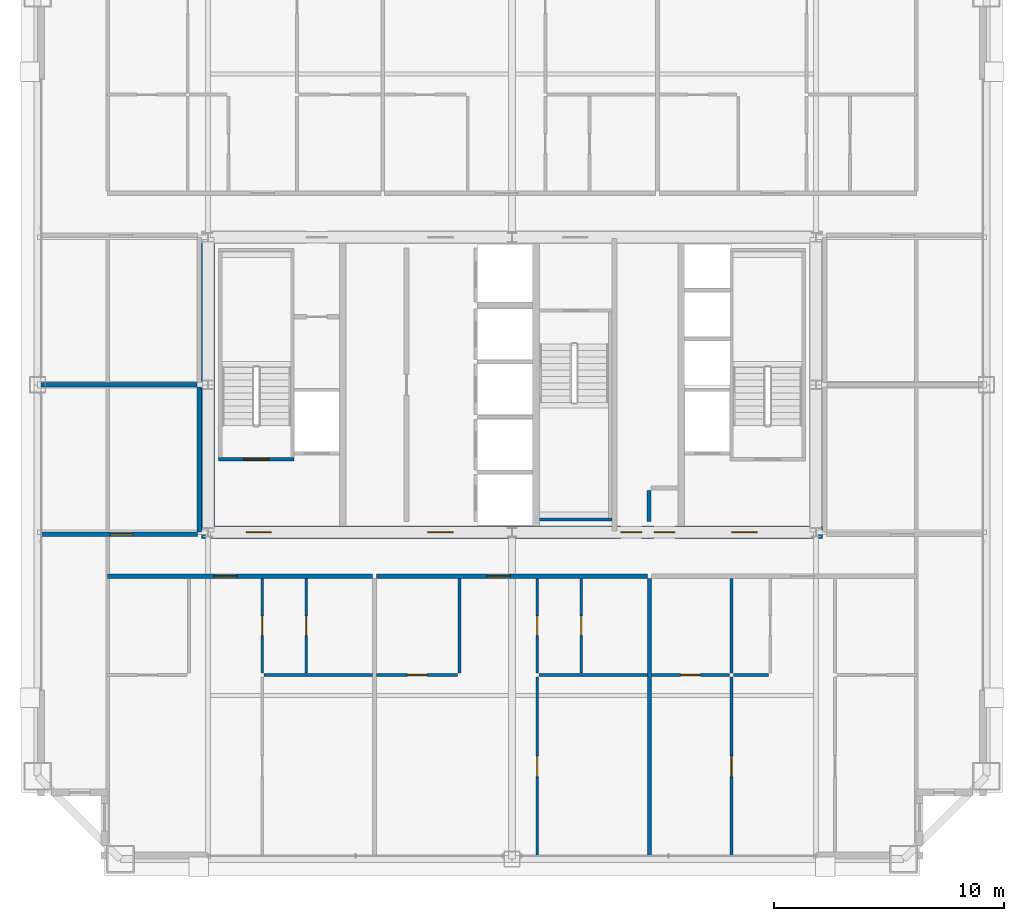
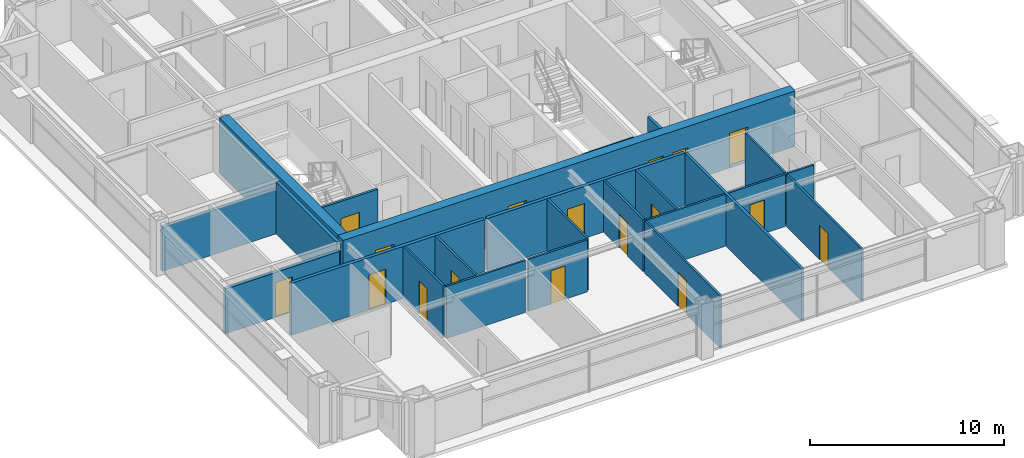
# One storey, part 32 of 37: 24 walls, 17 doors, 17 openings.
"""IFC4 building model written with IfcOpenShell, lengths in metres."""

from ifc_helpers import new_model, si_unit, direction, frame, frame_2d, origin, place, context, subcontext, project, spatial, rectangle, extrude, source, transform, mapped, material, layer, layer_set, type_object, element, fill, save


model = new_model("IFC4")

# Units and contexts
model_context = context("Model", 3, precision=1e-05, world=origin(), true_north=direction((0.0, 1.0)))
body_context = subcontext(model_context, "Body", "Model", "MODEL_VIEW")
ifc_project = project(units=[si_unit("LENGTHUNIT", "METRE"), si_unit("AREAUNIT", "SQUARE_METRE"), si_unit("VOLUMEUNIT", "CUBIC_METRE"), si_unit("PLANEANGLEUNIT", "RADIAN"), si_unit("MASSUNIT", "GRAM", prefix="KILO"), si_unit("THERMODYNAMICTEMPERATUREUNIT", "KELVIN"), si_unit("POWERUNIT", "WATT")], contexts=[model_context])

# Site, building, storey
site_placement = place(None, origin())
site = spatial("IfcSite", under=ifc_project, at=site_placement, CompositionType="ELEMENT")
building_placement = place(site_placement, origin())
building = spatial("IfcBuilding", under=site, at=building_placement, Name="Yuzanri Waterfront Tower", CompositionType="ELEMENT")
storey_placement = place(building_placement, frame((0.0, 0.0, 245.10009765625)))
storey = spatial("IfcBuildingStorey", under=building, at=storey_placement, Name="L65", CompositionType="ELEMENT", Elevation=245.10009765625)

# Wall, opening, door
ifc_material_1 = material(Name="Moisture-Resistant Gypsum Stud Wall", Category="gypsum")
ifc_layer_1 = layer(ifc_material_1, 0.1201171875)
ifc_layer_set_1 = layer_set([ifc_layer_1], Name="Moisture-Resistant Gypsum Stud Wall")
wall_type_1 = type_object("IfcWallType", Name="Bathroom and Kitchen Wet Partition 120", PredefinedType="PARTITIONING", material=ifc_layer_set_1)
wall_1_placement = place(storey_placement, frame((28.070068359375, 13.280029296875, 0.0), z_axis=(0.0, 0.0, 1.0), x_axis=(0.0, 1.0, 0.0)))
wall_1 = element("IfcWall", 1, at=wall_1_placement, inside=storey, type_object=wall_type_1, Name="L65 Partition UW-L65-RS1-SUB-2-W", PredefinedType="PARTITIONING", context=body_context, shape_type="SweptSolid", body=[
    extrude(rectangle(XDim=4.10986328125, YDim=0.1201171875, at=frame_2d((2.054931640625, 0.0))), origin(), (0.0, 0.0, 1.0), 3.27978515625),
])
opening_1_placement = place(wall_1_placement, frame((1.6298828125, 0.0, 0.0)))
opening_1 = element("IfcOpeningElement", 2, at=opening_1_placement, cuts=wall_1, Name="Opening ID-0850", PredefinedType="OPENING", context=body_context, shape_type="SweptSolid", body=[
    extrude(rectangle(XDim=0.85009765625, YDim=2.10009765625, at=frame_2d((0.425048828125, 1.050048828125))), frame((0.0, 0.074951171875, 0.0), z_axis=(0.0, -1.0, 0.0), x_axis=(1.0, 0.0, 0.0)), (0.0, 0.0, 1.0), 0.14990234375),
])
ifc_material_2 = material(Name="Moisture-Resistant Lacquered Timber", Category="wood")
door_type_1 = type_object("IfcDoorType", Name="En-Suite Bathroom and Kitchen Swing Door 850x2100", OperationType="NOTDEFINED", PredefinedType="DOOR", material=ifc_material_2)
shared_shape_1 = source(origin(), body_context, "Body", "SweptSolid", [
    extrude(rectangle(XDim=0.85009765625, YDim=2.10009765625, at=frame_2d((0.425048828125, 1.050048828125))), frame((0.0, 0.02490234375, 0.0), z_axis=(0.0, -1.0, 0.0), x_axis=(1.0, 0.0, 0.0)), (0.0, 0.0, 1.0), 0.050048828125),
])
door_1_placement = place(opening_1_placement, origin())
door_1 = element("IfcDoor", 3, at=door_1_placement, inside=storey, type_object=door_type_1, Name="L65 Suite Interior Room Door", OperationType="SINGLE_SWING_LEFT", OverallHeight=2.10009765625, OverallWidth=0.85009765625, PredefinedType="DOOR", context=body_context, shape_type="MappedRepresentation", body=[
    mapped(shared_shape_1, transform((0.0, 0.0, 0.0), scale=1.0)),
])
fill(opening_1, door_1)

wall_2_placement = place(storey_placement, frame((26.157958984375, 13.280029296875, 0.0), z_axis=(0.0, 0.0, 1.0), x_axis=(0.0, 1.0, 0.0)))
wall_2 = element("IfcWall", 4, at=wall_2_placement, inside=storey, type_object=wall_type_1, Name="L65 Partition UW-L65-RS1-SUB-4-W", PredefinedType="PARTITIONING", context=body_context, shape_type="SweptSolid", body=[
    extrude(rectangle(XDim=4.10986328125, YDim=0.1201171875, at=frame_2d((2.054931640625, 0.0))), origin(), (0.0, 0.0, 1.0), 3.27978515625),
])
opening_2_placement = place(wall_2_placement, frame((1.6298828125, 0.0, 0.0)))
opening_2 = element("IfcOpeningElement", 5, at=opening_2_placement, cuts=wall_2, Name="Opening ID-0850", PredefinedType="OPENING", context=body_context, shape_type="SweptSolid", body=[
    extrude(rectangle(XDim=0.85009765625, YDim=2.10009765625, at=frame_2d((0.425048828125, 1.050048828125))), frame((0.0, 0.074951171875, 0.0), z_axis=(0.0, -1.0, 0.0), x_axis=(1.0, 0.0, 0.0)), (0.0, 0.0, 1.0), 0.14990234375),
])
door_2_placement = place(opening_2_placement, origin())
door_2 = element("IfcDoor", 6, at=door_2_placement, inside=storey, type_object=door_type_1, Name="L65 Suite Interior Room Door", OperationType="SINGLE_SWING_LEFT", OverallHeight=2.10009765625, OverallWidth=0.85009765625, PredefinedType="DOOR", context=body_context, shape_type="MappedRepresentation", body=[
    mapped(shared_shape_1, transform((0.0, 0.0, 0.0), scale=1.0)),
])
fill(opening_2, door_2)

wall_3_placement = place(storey_placement, frame((31.110107421875, 13.199951171875, 0.0), z_axis=(0.0, 0.0, 1.0), x_axis=(1.0, 0.0, 0.0)))
wall_3 = element("IfcWall", 7, at=wall_3_placement, inside=storey, type_object=wall_type_1, Name="L65 Partition UW-L65-RS2-SUB-1-S", PredefinedType="PARTITIONING", context=body_context, shape_type="SweptSolid", body=[
    extrude(rectangle(XDim=3.533935546875, YDim=0.1201171875, at=frame_2d((1.76708984375, 0.0))), origin(), (0.0, 0.0, 1.0), 3.27978515625),
])
opening_3_placement = place(wall_3_placement, frame((1.342041015625, 0.0, 0.0)))
opening_3 = element("IfcOpeningElement", 8, at=opening_3_placement, cuts=wall_3, Name="Opening ID-0850", PredefinedType="OPENING", context=body_context, shape_type="SweptSolid", body=[
    extrude(rectangle(XDim=0.85009765625, YDim=2.10009765625, at=frame_2d((0.425048828125, 1.050048828125))), frame((0.0, 0.074951171875, 0.0), z_axis=(0.0, -1.0, 0.0), x_axis=(1.0, 0.0, 0.0)), (0.0, 0.0, 1.0), 0.14990234375),
])
door_3_placement = place(opening_3_placement, origin())
door_3 = element("IfcDoor", 9, at=door_3_placement, inside=storey, type_object=door_type_1, Name="L65 Suite Interior Room Door", OperationType="SINGLE_SWING_LEFT", OverallHeight=2.10009765625, OverallWidth=0.85009765625, PredefinedType="DOOR", context=body_context, shape_type="MappedRepresentation", body=[
    mapped(shared_shape_1, transform((0.0, 0.0, 0.0), scale=1.0)),
])
fill(opening_3, door_3)

wall_4_placement = place(storey_placement, frame((40.010009765625, 13.280029296875, 0.0), z_axis=(0.0, 0.0, 1.0), x_axis=(0.0, 1.0, 0.0)))
wall_4 = element("IfcWall", 10, at=wall_4_placement, inside=storey, type_object=wall_type_1, Name="L65 Partition UW-L65-RS2-SUB-2-W", PredefinedType="PARTITIONING", context=body_context, shape_type="SweptSolid", body=[
    extrude(rectangle(XDim=4.10986328125, YDim=0.1201171875, at=frame_2d((2.054931640625, 0.0))), origin(), (0.0, 0.0, 1.0), 3.27978515625),
])
opening_4_placement = place(wall_4_placement, frame((1.6298828125, 0.0, 0.0)))
opening_4 = element("IfcOpeningElement", 11, at=opening_4_placement, cuts=wall_4, Name="Opening ID-0850", PredefinedType="OPENING", context=body_context, shape_type="SweptSolid", body=[
    extrude(rectangle(XDim=0.85009765625, YDim=2.10009765625, at=frame_2d((0.425048828125, 1.050048828125))), frame((0.0, 0.074951171875, 0.0), z_axis=(0.0, -1.0, 0.0), x_axis=(1.0, 0.0, 0.0)), (0.0, 0.0, 1.0), 0.14990234375),
])
door_4_placement = place(opening_4_placement, origin())
door_4 = element("IfcDoor", 12, at=door_4_placement, inside=storey, type_object=door_type_1, Name="L65 Suite Interior Room Door", OperationType="SINGLE_SWING_RIGHT", OverallHeight=2.10009765625, OverallWidth=0.85009765625, PredefinedType="DOOR", context=body_context, shape_type="MappedRepresentation", body=[
    mapped(shared_shape_1, transform((0.0, 0.0, 0.0), scale=1.0)),
])
fill(opening_4, door_4)

wall_5_placement = place(storey_placement, frame((38.097900390625, 5.35009765625, 0.0), z_axis=(0.0, 0.0, 1.0), x_axis=(0.0, 1.0, 0.0)))
wall_5 = element("IfcWall", 13, at=wall_5_placement, inside=storey, type_object=wall_type_1, Name="L65 Partition UW-L65-RS2-SUB-3-W", PredefinedType="PARTITIONING", context=body_context, shape_type="SweptSolid", body=[
    extrude(rectangle(XDim=7.77001953125, YDim=0.1201171875, at=frame_2d((3.885009765625, 0.0))), origin(), (0.0, 0.0, 1.0), 3.27978515625),
])
opening_5_placement = place(wall_5_placement, frame((3.43505859375, 0.0, 0.0)))
opening_5 = element("IfcOpeningElement", 14, at=opening_5_placement, cuts=wall_5, Name="Opening ID-0900", PredefinedType="OPENING", context=body_context, shape_type="SweptSolid", body=[
    extrude(rectangle(XDim=0.89990234375, YDim=2.14990234375, at=frame_2d((0.449951171875, 1.074951171875))), frame((0.0, 0.074951171875, 0.0), z_axis=(0.0, -1.0, 0.0), x_axis=(1.0, 0.0, 0.0)), (0.0, 0.0, 1.0), 0.14990234375),
])
ifc_material_3 = material(Name="Stained Walnut Veneer Timber", Category="wood")
door_type_2 = type_object("IfcDoorType", Name="Bedroom and Study Interior Swing Door 900x2150", OperationType="NOTDEFINED", PredefinedType="DOOR", material=ifc_material_3)
shared_shape_2 = source(origin(), body_context, "Body", "SweptSolid", [
    extrude(rectangle(XDim=0.89990234375, YDim=2.14990234375, at=frame_2d((0.449951171875, 1.074951171875))), frame((0.0, 0.02490234375, 0.0), z_axis=(0.0, -1.0, 0.0), x_axis=(1.0, 0.0, 0.0)), (0.0, 0.0, 1.0), 0.050048828125),
])
door_5_placement = place(opening_5_placement, origin())
door_5 = element("IfcDoor", 15, at=door_5_placement, inside=storey, type_object=door_type_2, Name="L65 Suite Interior Room Door", OperationType="SINGLE_SWING_LEFT", OverallHeight=2.14990234375, OverallWidth=0.89990234375, PredefinedType="DOOR", context=body_context, shape_type="MappedRepresentation", body=[
    mapped(shared_shape_2, transform((0.0, 0.0, 0.0), scale=1.0)),
])
fill(opening_5, door_5)

wall_6_placement = place(storey_placement, frame((38.097900390625, 13.280029296875, 0.0), z_axis=(0.0, 0.0, 1.0), x_axis=(0.0, 1.0, 0.0)))
wall_6 = element("IfcWall", 16, at=wall_6_placement, inside=storey, type_object=wall_type_1, Name="L65 Partition UW-L65-RS2-SUB-4-W", PredefinedType="PARTITIONING", context=body_context, shape_type="SweptSolid", body=[
    extrude(rectangle(XDim=4.10986328125, YDim=0.1201171875, at=frame_2d((2.054931640625, 0.0))), origin(), (0.0, 0.0, 1.0), 3.27978515625),
])
opening_6_placement = place(wall_6_placement, frame((1.6298828125, 0.0, 0.0)))
opening_6 = element("IfcOpeningElement", 17, at=opening_6_placement, cuts=wall_6, Name="Opening ID-0850", PredefinedType="OPENING", context=body_context, shape_type="SweptSolid", body=[
    extrude(rectangle(XDim=0.85009765625, YDim=2.10009765625, at=frame_2d((0.425048828125, 1.050048828125))), frame((0.0, 0.074951171875, 0.0), z_axis=(0.0, -1.0, 0.0), x_axis=(1.0, 0.0, 0.0)), (0.0, 0.0, 1.0), 0.14990234375),
])
door_6_placement = place(opening_6_placement, origin())
door_6 = element("IfcDoor", 18, at=door_6_placement, inside=storey, type_object=door_type_1, Name="L65 Suite Interior Room Door", OperationType="SINGLE_SWING_RIGHT", OverallHeight=2.10009765625, OverallWidth=0.85009765625, PredefinedType="DOOR", context=body_context, shape_type="MappedRepresentation", body=[
    mapped(shared_shape_1, transform((0.0, 0.0, 0.0), scale=1.0)),
])
fill(opening_6, door_6)

wall_7_placement = place(storey_placement, frame((43.050048828125, 13.199951171875, 0.0), z_axis=(0.0, 0.0, 1.0), x_axis=(1.0, 0.0, 0.0)))
wall_7 = element("IfcWall", 19, at=wall_7_placement, inside=storey, type_object=wall_type_1, Name="L65 Partition UW-L65-RS3-SUB-1-S", PredefinedType="PARTITIONING", context=body_context, shape_type="SweptSolid", body=[
    extrude(rectangle(XDim=3.39990234375, YDim=0.1201171875, at=frame_2d((1.699951171875, 0.0))), origin(), (0.0, 0.0, 1.0), 3.27978515625),
])
opening_7_placement = place(wall_7_placement, frame((1.27490234375, 0.0, 0.0)))
opening_7 = element("IfcOpeningElement", 20, at=opening_7_placement, cuts=wall_7, Name="Opening ID-0850", PredefinedType="OPENING", context=body_context, shape_type="SweptSolid", body=[
    extrude(rectangle(XDim=0.85009765625, YDim=2.10009765625, at=frame_2d((0.425048828125, 1.050048828125))), frame((0.0, 0.074951171875, 0.0), z_axis=(0.0, -1.0, 0.0), x_axis=(1.0, 0.0, 0.0)), (0.0, 0.0, 1.0), 0.14990234375),
])
door_7_placement = place(opening_7_placement, origin())
door_7 = element("IfcDoor", 21, at=door_7_placement, inside=storey, type_object=door_type_1, Name="L65 Suite Interior Room Door", OperationType="SINGLE_SWING_RIGHT", OverallHeight=2.10009765625, OverallWidth=0.85009765625, PredefinedType="DOOR", context=body_context, shape_type="MappedRepresentation", body=[
    mapped(shared_shape_1, transform((0.0, 0.0, 0.0), scale=1.0)),
])
fill(opening_7, door_7)

wall_8_placement = place(storey_placement, frame((46.530029296875, 5.35009765625, 0.0), z_axis=(0.0, 0.0, 1.0), x_axis=(0.0, 1.0, 0.0)))
wall_8 = element("IfcWall", 22, at=wall_8_placement, inside=storey, type_object=wall_type_1, Name="L65 Partition UW-L65-RS3-SUB-4-E", PredefinedType="PARTITIONING", context=body_context, shape_type="SweptSolid", body=[
    extrude(rectangle(XDim=7.77001953125, YDim=0.1201171875, at=frame_2d((3.885009765625, 0.0))), origin(), (0.0, 0.0, 1.0), 3.27978515625),
])
opening_8_placement = place(wall_8_placement, frame((3.43505859375, 0.0, 0.0)))
opening_8 = element("IfcOpeningElement", 23, at=opening_8_placement, cuts=wall_8, Name="Opening ID-0900", PredefinedType="OPENING", context=body_context, shape_type="SweptSolid", body=[
    extrude(rectangle(XDim=0.89990234375, YDim=2.14990234375, at=frame_2d((0.449951171875, 1.074951171875))), frame((0.0, 0.074951171875, 0.0), z_axis=(0.0, -1.0, 0.0), x_axis=(1.0, 0.0, 0.0)), (0.0, 0.0, 1.0), 0.14990234375),
])
door_8_placement = place(opening_8_placement, origin())
door_8 = element("IfcDoor", 24, at=door_8_placement, inside=storey, type_object=door_type_2, Name="L65 Suite Interior Room Door", OperationType="SINGLE_SWING_LEFT", OverallHeight=2.14990234375, OverallWidth=0.89990234375, PredefinedType="DOOR", context=body_context, shape_type="MappedRepresentation", body=[
    mapped(shared_shape_2, transform((0.0, 0.0, 0.0), scale=1.0)),
])
fill(opening_8, door_8)

# Wall, openings, doors
ifc_material_4 = material(Name="Concrete C50", Category="concrete")
ifc_layer_2 = layer(ifc_material_4, 0.550048828125)
ifc_layer_set_2 = layer_set([ifc_layer_2], Name="Concrete C50")
wall_type_2 = type_object("IfcWallType", Name="Concrete C50 Upper-Mid Zone Core Shear Wall 550", PredefinedType="SHEAR", material=ifc_layer_set_2)
wall_9_placement = place(storey_placement, frame((23.52490234375, 19.39990234375, 0.0), z_axis=(0.0, 0.0, 1.0), x_axis=(1.0, 0.0, 0.0)))
wall_9 = element("IfcWall", 25, at=wall_9_placement, inside=storey, type_object=wall_type_2, Name="L65 Core South Shear Wall", PredefinedType="SHEAR", context=body_context, shape_type="SweptSolid", body=[
    extrude(rectangle(XDim=26.9501953125, YDim=0.550048828125, at=frame_2d((13.47509765625, 0.0))), origin(), (0.0, 0.0, 1.0), 3.5),
])
opening_9_placement = place(wall_9_placement, frame((1.925048828125, 0.0, 0.0)))
opening_9 = element("IfcOpeningElement", 26, at=opening_9_placement, cuts=wall_9, Name="Opening FD-1100", PredefinedType="OPENING", context=body_context, shape_type="SweptSolid", body=[
    extrude(rectangle(XDim=1.10009765625, YDim=2.199951171875, at=frame_2d((0.550048828125, 1.10009765625))), frame((0.0, 0.2900390625, 0.0), z_axis=(0.0, -1.0, 0.0), x_axis=(1.0, 0.0, 0.0)), (0.0, 0.0, 1.0), 0.579833984375),
])
opening_10_placement = place(wall_9_placement, frame((9.824951171875, 0.0, 0.0)))
opening_10 = element("IfcOpeningElement", 27, at=opening_10_placement, cuts=wall_9, Name="Opening FD-1100", PredefinedType="OPENING", context=body_context, shape_type="SweptSolid", body=[
    extrude(rectangle(XDim=1.10009765625, YDim=2.199951171875, at=frame_2d((0.550048828125, 1.10009765625))), frame((0.0, 0.2900390625, 0.0), z_axis=(0.0, -1.0, 0.0), x_axis=(1.0, 0.0, 0.0)), (0.0, 0.0, 1.0), 0.579833984375),
])
opening_11_placement = place(wall_9_placement, frame((23.02490234375, 0.0, 0.0)))
opening_11 = element("IfcOpeningElement", 28, at=opening_11_placement, cuts=wall_9, Name="Opening FD-1100", PredefinedType="OPENING", context=body_context, shape_type="SweptSolid", body=[
    extrude(rectangle(XDim=1.10009765625, YDim=2.199951171875, at=frame_2d((0.550048828125, 1.10009765625))), frame((0.0, 0.2900390625, 0.0), z_axis=(0.0, -1.0, 0.0), x_axis=(1.0, 0.0, 0.0)), (0.0, 0.0, 1.0), 0.579833984375),
])
opening_12_placement = place(wall_9_placement, frame((19.64501953125, 0.0, 0.0)))
opening_12 = element("IfcOpeningElement", 29, at=opening_12_placement, cuts=wall_9, Name="Opening FD-0900", PredefinedType="OPENING", context=body_context, shape_type="SweptSolid", body=[
    extrude(rectangle(XDim=0.89990234375, YDim=2.14990234375, at=frame_2d((0.449951171875, 1.074951171875))), frame((0.0, 0.2900390625, 0.0), z_axis=(0.0, -1.0, 0.0), x_axis=(1.0, 0.0, 0.0)), (0.0, 0.0, 1.0), 0.579833984375),
])
opening_13_placement = place(wall_9_placement, frame((18.205078125, 0.0, 0.0)))
opening_13 = element("IfcOpeningElement", 30, at=opening_13_placement, cuts=wall_9, Name="Opening FD-0900", PredefinedType="OPENING", context=body_context, shape_type="SweptSolid", body=[
    extrude(rectangle(XDim=0.89990234375, YDim=2.14990234375, at=frame_2d((0.449951171875, 1.074951171875))), frame((0.0, 0.2900390625, 0.0), z_axis=(0.0, -1.0, 0.0), x_axis=(1.0, 0.0, 0.0)), (0.0, 0.0, 1.0), 0.579833984375),
])
ifc_material_5 = material(Name="Painted Galvanized Fire Steel", Category="steel")
door_type_3 = type_object("IfcDoorType", Name="Smoke-Proof Stair and Lobby Fire Door 1100x2200", OperationType="NOTDEFINED", PredefinedType="DOOR", material=ifc_material_5)
shared_shape_3 = source(origin(), body_context, "Body", "SweptSolid", [
    extrude(rectangle(XDim=1.10009765625, YDim=2.199951171875, at=frame_2d((0.550048828125, 1.10009765625))), frame((0.0, 0.02490234375, 0.0), z_axis=(0.0, -1.0, 0.0), x_axis=(1.0, 0.0, 0.0)), (0.0, 0.0, 1.0), 0.050048828125),
])
door_9_placement = place(opening_9_placement, origin())
door_9 = element("IfcDoor", 31, at=door_9_placement, inside=storey, type_object=door_type_3, Name="L65 West Firefighting Lobby Door", OperationType="SINGLE_SWING_LEFT", OverallHeight=2.199951171875, OverallWidth=1.10009765625, PredefinedType="DOOR", context=body_context, shape_type="MappedRepresentation", body=[
    mapped(shared_shape_3, transform((0.0, 0.0, 0.0), scale=1.0)),
])
fill(opening_9, door_9)
door_10_placement = place(opening_10_placement, origin())
door_10 = element("IfcDoor", 32, at=door_10_placement, inside=storey, type_object=door_type_3, Name="L65 Central Lift Lobby South Door", OperationType="SINGLE_SWING_RIGHT", OverallHeight=2.199951171875, OverallWidth=1.10009765625, PredefinedType="DOOR", context=body_context, shape_type="MappedRepresentation", body=[
    mapped(shared_shape_3, transform((0.0, 0.0, 0.0), scale=1.0)),
])
fill(opening_10, door_10)
door_11_placement = place(opening_11_placement, origin())
door_11 = element("IfcDoor", 33, at=door_11_placement, inside=storey, type_object=door_type_3, Name="L65 East Firefighting Lobby Door", OperationType="SINGLE_SWING_LEFT", OverallHeight=2.199951171875, OverallWidth=1.10009765625, PredefinedType="DOOR", context=body_context, shape_type="MappedRepresentation", body=[
    mapped(shared_shape_3, transform((0.0, 0.0, 0.0), scale=1.0)),
])
fill(opening_11, door_11)
ifc_material_6 = material(Name="Painted Galvanized Fire Steel", Category="steel")
door_type_4 = type_object("IfcDoorType", Name="Riser and Service Room Fire Door 900x2150", OperationType="NOTDEFINED", PredefinedType="DOOR", material=ifc_material_6)
shared_shape_4 = source(origin(), body_context, "Body", "SweptSolid", [
    extrude(rectangle(XDim=0.89990234375, YDim=2.14990234375, at=frame_2d((0.449951171875, 1.074951171875))), frame((0.0, 0.02490234375, 0.0), z_axis=(0.0, -1.0, 0.0), x_axis=(1.0, 0.0, 0.0)), (0.0, 0.0, 1.0), 0.050048828125),
])
door_12_placement = place(opening_12_placement, origin())
door_12 = element("IfcDoor", 34, at=door_12_placement, inside=storey, type_object=door_type_4, Name="L65 East Wet Riser Door", OperationType="SINGLE_SWING_LEFT", OverallHeight=2.14990234375, OverallWidth=0.89990234375, PredefinedType="DOOR", context=body_context, shape_type="MappedRepresentation", body=[
    mapped(shared_shape_4, transform((0.0, 0.0, 0.0), scale=1.0)),
])
fill(opening_12, door_12)
door_13_placement = place(opening_13_placement, origin())
door_13 = element("IfcDoor", 35, at=door_13_placement, inside=storey, type_object=door_type_4, Name="L65 Cleaners Store Room", OperationType="SINGLE_SWING_RIGHT", OverallHeight=2.14990234375, OverallWidth=0.89990234375, PredefinedType="DOOR", context=body_context, shape_type="MappedRepresentation", body=[
    mapped(shared_shape_4, transform((0.0, 0.0, 0.0), scale=1.0)),
])
fill(opening_13, door_13)

# Wall, opening, door
ifc_material_7 = material(Name="Concrete C40", Category="concrete")
ifc_layer_3 = layer(ifc_material_7, 0.139892578125)
ifc_layer_set_3 = layer_set([ifc_layer_3], Name="Concrete C40")
wall_type_3 = type_object("IfcWallType", Name="Core Stair Liner and Hoistway Shaft Wall 140", PredefinedType="SOLIDWALL", material=ifc_layer_set_3)
wall_10_placement = place(storey_placement, frame((24.260009765625, 22.570068359375, 0.0), z_axis=(0.0, 0.0, 1.0), x_axis=(1.0, 0.0, 0.0)))
wall_10 = element("IfcWall", 36, at=wall_10_placement, inside=storey, type_object=wall_type_3, Name="L65 Shaft Wall STW-L65-ST-01-S", PredefinedType="SOLIDWALL", context=body_context, shape_type="SweptSolid", body=[
    extrude(rectangle(XDim=3.280029296875, YDim=0.139892578125, at=frame_2d((1.64013671875, 0.0))), origin(), (0.0, 0.0, 1.0), 3.27978515625),
])
opening_14_placement = place(wall_10_placement, frame((1.090087890625, 0.0, 0.0)))
opening_14 = element("IfcOpeningElement", 37, at=opening_14_placement, cuts=wall_10, Name="Opening FD-1100", PredefinedType="OPENING", context=body_context, shape_type="SweptSolid", body=[
    extrude(rectangle(XDim=1.10009765625, YDim=2.199951171875, at=frame_2d((0.550048828125, 1.10009765625))), frame((0.0, 0.0849609375, 0.0), z_axis=(0.0, -1.0, 0.0), x_axis=(1.0, 0.0, 0.0)), (0.0, 0.0, 1.0), 0.169677734375),
])
door_14_placement = place(opening_14_placement, origin())
door_14 = element("IfcDoor", 38, at=door_14_placement, inside=storey, type_object=door_type_3, Name="L65 Stair ST-01 Fire Door", OperationType="SINGLE_SWING_RIGHT", OverallHeight=2.199951171875, OverallWidth=1.10009765625, PredefinedType="DOOR", context=body_context, shape_type="MappedRepresentation", body=[
    mapped(shared_shape_3, transform((0.0, 0.0, 0.0), scale=1.0)),
])
fill(opening_14, door_14)

ifc_material_8 = material(Name="Autoclaved Aerated Concrete Blockwork", Category="masonry")
ifc_layer_4 = layer(ifc_material_8, 0.199951171875)
ifc_layer_set_4 = layer_set([ifc_layer_4], Name="Autoclaved Aerated Concrete Blockwork")
wall_type_4 = type_object("IfcWallType", Name="Corridor and Unit Party Fire Wall 200", PredefinedType="PARTITIONING", material=ifc_layer_set_4)
wall_11_placement = place(storey_placement, frame((19.43994140625, 17.489990234375, 0.0), z_axis=(0.0, 0.0, 1.0), x_axis=(1.0, 0.0, 0.0)))
wall_11 = element("IfcWall", 39, at=wall_11_placement, inside=storey, type_object=wall_type_4, Name="L65 Partition UW-L65-RS1-CN", PredefinedType="PARTITIONING", context=body_context, shape_type="SweptSolid", body=[
    extrude(rectangle(XDim=11.510009765625, YDim=0.199951171875, at=frame_2d((5.7548828125, 0.0))), origin(), (0.0, 0.0, 1.0), 3.27978515625),
])
opening_15_placement = place(wall_11_placement, frame((4.6259765625, 0.0, 0.0)))
opening_15 = element("IfcOpeningElement", 40, at=opening_15_placement, cuts=wall_11, Name="Opening FD-1000", PredefinedType="OPENING", context=body_context, shape_type="SweptSolid", body=[
    extrude(rectangle(XDim=1.0, YDim=2.199951171875, at=frame_2d((0.5, 1.10009765625))), frame((0.0, 0.11474609375, 0.0), z_axis=(0.0, -1.0, 0.0), x_axis=(1.0, 0.0, 0.0)), (0.0, 0.0, 1.0), 0.229736328125),
])
ifc_material_9 = material(Name="Engineered Oak Fire-Rated Timber", Category="wood")
door_type_5 = type_object("IfcDoorType", Name="Guestroom and Apartment Entrance Fire Door 1000x2200", OperationType="NOTDEFINED", PredefinedType="DOOR", material=ifc_material_9)
shared_shape_5 = source(origin(), body_context, "Body", "SweptSolid", [
    extrude(rectangle(XDim=1.0, YDim=2.199951171875, at=frame_2d((0.5, 1.10009765625))), frame((0.0, 0.02490234375, 0.0), z_axis=(0.0, -1.0, 0.0), x_axis=(1.0, 0.0, 0.0)), (0.0, 0.0, 1.0), 0.050048828125),
])
door_15_placement = place(opening_15_placement, origin())
door_15 = element("IfcDoor", 41, at=door_15_placement, inside=storey, type_object=door_type_5, Name="L65 Apartment Living Room Entrance Door", OperationType="SINGLE_SWING_LEFT", OverallHeight=2.199951171875, OverallWidth=1.0, PredefinedType="DOOR", context=body_context, shape_type="MappedRepresentation", body=[
    mapped(shared_shape_5, transform((0.0, 0.0, 0.0), scale=1.0)),
])
fill(opening_15, door_15)

wall_12_placement = place(storey_placement, frame((31.110107421875, 17.489990234375, 0.0), z_axis=(0.0, 0.0, 1.0), x_axis=(1.0, 0.0, 0.0)))
wall_12 = element("IfcWall", 42, at=wall_12_placement, inside=storey, type_object=wall_type_4, Name="L65 Partition UW-L65-RS2-CN", PredefinedType="PARTITIONING", context=body_context, shape_type="SweptSolid", body=[
    extrude(rectangle(XDim=11.77978515625, YDim=0.199951171875, at=frame_2d((5.889892578125, 0.0))), origin(), (0.0, 0.0, 1.0), 3.27978515625),
])
opening_16_placement = place(wall_12_placement, frame((4.801025390625, 0.0, 0.0)))
opening_16 = element("IfcOpeningElement", 43, at=opening_16_placement, cuts=wall_12, Name="Opening FD-1000", PredefinedType="OPENING", context=body_context, shape_type="SweptSolid", body=[
    extrude(rectangle(XDim=1.0, YDim=2.199951171875, at=frame_2d((0.5, 1.10009765625))), frame((0.0, 0.11474609375, 0.0), z_axis=(0.0, -1.0, 0.0), x_axis=(1.0, 0.0, 0.0)), (0.0, 0.0, 1.0), 0.229736328125),
])
door_16_placement = place(opening_16_placement, origin())
door_16 = element("IfcDoor", 44, at=door_16_placement, inside=storey, type_object=door_type_5, Name="L65 Apartment Living Room Entrance Door", OperationType="SINGLE_SWING_RIGHT", OverallHeight=2.199951171875, OverallWidth=1.0, PredefinedType="DOOR", context=body_context, shape_type="MappedRepresentation", body=[
    mapped(shared_shape_5, transform((0.0, 0.0, 0.0), scale=1.0)),
])
fill(opening_16, door_16)

wall_13_placement = place(storey_placement, frame((16.550048828125, 19.31005859375, 0.0), z_axis=(0.0, 0.0, 1.0), x_axis=(1.0, 0.0, 0.0)))
wall_13 = element("IfcWall", 45, at=wall_13_placement, inside=storey, type_object=wall_type_4, Name="L65 Partition UW-L65-047-CS", PredefinedType="PARTITIONING", context=body_context, shape_type="SweptSolid", body=[
    extrude(rectangle(XDim=6.800048828125, YDim=0.199951171875, at=frame_2d((3.39990234375, 0.0))), origin(), (0.0, 0.0, 1.0), 2.824951171875),
])
opening_17_placement = place(wall_13_placement, frame((3.0, 0.0, 0.0)))
opening_17 = element("IfcOpeningElement", 46, at=opening_17_placement, cuts=wall_13, Name="Opening FD-1000", PredefinedType="OPENING", context=body_context, shape_type="SweptSolid", body=[
    extrude(rectangle(XDim=1.0, YDim=2.199951171875, at=frame_2d((0.5, 1.10009765625))), frame((0.0, 0.11474609375, 0.0), z_axis=(0.0, -1.0, 0.0), x_axis=(1.0, 0.0, 0.0)), (0.0, 0.0, 1.0), 0.229736328125),
])
door_17_placement = place(opening_17_placement, origin())
door_17 = element("IfcDoor", 47, at=door_17_placement, inside=storey, type_object=door_type_5, Name="L65 Residents W Co-Working Office 1 Entrance Door", OperationType="SINGLE_SWING_LEFT", OverallHeight=2.199951171875, OverallWidth=1.0, PredefinedType="DOOR", context=body_context, shape_type="MappedRepresentation", body=[
    mapped(shared_shape_5, transform((0.0, 0.0, 0.0), scale=1.0)),
])
fill(opening_17, door_17)

# Walls
shared_shape_6 = source(origin(), body_context, "Body", "SweptSolid", [
    extrude(rectangle(XDim=12.25, YDim=0.550048828125, at=frame_2d((6.125, 0.0))), origin(), (0.0, 0.0, 1.0), 3.5),
])
wall_14_placement = place(storey_placement, frame((23.800048828125, 19.675048828125, 0.0), z_axis=(0.0, 0.0, 1.0), x_axis=(0.0, 1.0, 0.0)))
element("IfcWall", 48, at=wall_14_placement, inside=storey, type_object=wall_type_2, Name="L65 Core West Shear Wall", PredefinedType="SHEAR", context=body_context, shape_type="MappedRepresentation", body=[
    mapped(shared_shape_6, transform((0.0, 0.0, 0.0), scale=1.0)),
])
shared_shape_7 = source(origin(), body_context, "Body", "SweptSolid", [
    extrude(rectangle(XDim=3.14013671875, YDim=0.139892578125, at=frame_2d((1.570068359375, 0.0))), origin(), (0.0, 0.0, 1.0), 3.27978515625),
])
wall_15_placement = place(storey_placement, frame((38.199951171875, 19.949951171875, 0.0), z_axis=(0.0, 0.0, 1.0), x_axis=(1.0, 0.0, 0.0)))
element("IfcWall", 49, at=wall_15_placement, inside=storey, type_object=wall_type_3, Name="L65 Stair ST-03 South Shaft Wall", PredefinedType="SOLIDWALL", context=body_context, shape_type="MappedRepresentation", body=[
    mapped(shared_shape_7, transform((0.0, 0.0, 0.0), scale=1.0)),
])
ifc_material_10 = material(Name="Gypsum Fireboard Acoustic Stud Wall", Category="gypsum")
ifc_layer_5 = layer(ifc_material_10, 0.159912109375)
ifc_layer_set_5 = layer_set([ifc_layer_5], Name="Gypsum Fireboard Acoustic Stud Wall")
wall_type_5 = type_object("IfcWallType", Name="Acoustic Suite Demising Partition 160", PredefinedType="PARTITIONING", material=ifc_layer_set_5)
shared_shape_8 = source(origin(), body_context, "Body", "SweptSolid", [
    extrude(rectangle(XDim=1.33984375, YDim=0.159912109375, at=frame_2d((0.669921875, 0.0))), origin(), (0.0, 0.0, 1.0), 3.27978515625),
])
wall_16_placement = place(storey_placement, frame((42.949951171875, 19.860107421875, 0.0), z_axis=(0.0, 0.0, 1.0), x_axis=(0.0, 1.0, 0.0)))
element("IfcWall", 50, at=wall_16_placement, inside=storey, type_object=wall_type_5, Name="L65 East Wet Riser West Wall", PredefinedType="PARTITIONING", context=body_context, shape_type="MappedRepresentation", body=[
    mapped(shared_shape_8, transform((0.0, 0.0, 0.0), scale=1.0)),
])
shared_shape_9 = source(origin(), body_context, "Body", "SweptSolid", [
    extrude(rectangle(XDim=12.039794921875, YDim=0.159912109375, at=frame_2d((6.02001953125, 0.0))), origin(), (0.0, 0.0, 1.0), 3.27978515625),
])
wall_17_placement = place(storey_placement, frame((42.969970703125, 5.35009765625, 0.0), z_axis=(0.0, 0.0, 1.0), x_axis=(0.0, 1.0, 0.0)))
element("IfcWall", 51, at=wall_17_placement, inside=storey, type_object=wall_type_5, Name="L65-RS2 Party Wall", PredefinedType="PARTITIONING", context=body_context, shape_type="MappedRepresentation", body=[
    mapped(shared_shape_9, transform((0.0, 0.0, 0.0), scale=1.0)),
])
shared_shape_10 = source(origin(), body_context, "Body", "SweptSolid", [
    extrude(rectangle(XDim=4.10986328125, YDim=0.1201171875, at=frame_2d((2.054931640625, 0.0))), origin(), (0.0, 0.0, 1.0), 3.27978515625),
])
for number, where, z_axis, x_axis, name in (
    (52, (34.72412109375, 13.280029296875, 0.0), (0.0, 0.0, 1.0), (0.0, 1.0, 0.0), "L65 Partition UW-L65-RS2-SUB-1-E"),
    (53, (46.530029296875, 13.280029296875, 0.0), (0.0, 0.0, 1.0), (0.0, 1.0, 0.0), "L65 Partition UW-L65-RS3-SUB-1-E"),
):
    element("IfcWall", number, at=place(storey_placement, frame(where, z_axis=z_axis, x_axis=x_axis)), inside=storey, type_object=wall_type_1, Name=name, PredefinedType="PARTITIONING", context=body_context, shape_type="MappedRepresentation", body=[
        mapped(shared_shape_10, transform((0.0, 0.0, 0.0), scale=1.0)),
    ])
shared_shape_11 = source(origin(), body_context, "Body", "SweptSolid", [
    extrude(rectangle(XDim=6.764892578125, YDim=0.199951171875, at=frame_2d((3.38232421875, 0.0))), origin(), (0.0, 0.0, 1.0), 2.786865234375),
])
wall_18_placement = place(storey_placement, frame((16.550048828125, 25.800048828125, 0.0), z_axis=(0.0, 0.0, 1.0), x_axis=(1.0, 0.0, 0.0)))
element("IfcWall", 54, at=wall_18_placement, inside=storey, type_object=wall_type_4, Name="L65-047 Wing North Wall", PredefinedType="PARTITIONING", context=body_context, shape_type="MappedRepresentation", body=[
    mapped(shared_shape_11, transform((0.0, 0.0, 0.0), scale=1.0)),
])
shared_shape_12 = source(origin(), body_context, "Body", "SweptSolid", [
    extrude(rectangle(XDim=6.2900390625, YDim=0.199951171875, at=frame_2d((3.14501953125, 0.0))), origin(), (0.0, 0.0, 1.0), 3.27978515625),
])
wall_19_placement = place(storey_placement, frame((23.419921875, 19.409912109375, 0.0), z_axis=(0.0, 0.0, 1.0), x_axis=(0.0, 1.0, 0.0)))
element("IfcWall", 55, at=wall_19_placement, inside=storey, type_object=wall_type_4, Name="L65-047 Wing Inner Core-Side Wall", PredefinedType="PARTITIONING", context=body_context, shape_type="MappedRepresentation", body=[
    mapped(shared_shape_12, transform((0.0, 0.0, 0.0), scale=1.0)),
])
shared_shape_13 = source(origin(), body_context, "Body", "SweptSolid", [
    extrude(rectangle(XDim=4.7119140625, YDim=0.1201171875, at=frame_2d((2.35595703125, 0.0))), origin(), (0.0, 0.0, 1.0), 3.27978515625),
])
for number, where, z_axis, x_axis, name in (
    (56, (26.238037109375, 13.199951171875, 0.0), (0.0, 0.0, 1.0), (1.0, 0.0, 0.0), "L65 Partition UW-L65-RS1-SUB-3-N"),
    (57, (38.177978515625, 13.199951171875, 0.0), (0.0, 0.0, 1.0), (1.0, 0.0, 0.0), "L65 Partition UW-L65-RS2-SUB-3-N"),
):
    element("IfcWall", number, at=place(storey_placement, frame(where, z_axis=z_axis, x_axis=x_axis)), inside=storey, type_object=wall_type_1, Name=name, PredefinedType="PARTITIONING", context=body_context, shape_type="MappedRepresentation", body=[
        mapped(shared_shape_13, transform((0.0, 0.0, 0.0), scale=1.0)),
    ])
shared_shape_14 = source(origin(), body_context, "Body", "SweptSolid", [
    extrude(rectangle(XDim=1.52880859375, YDim=0.1201171875, at=frame_2d((0.764404296875, 0.0))), origin(), (0.0, 0.0, 1.0), 3.27978515625),
])
wall_20_placement = place(storey_placement, frame((46.610107421875, 13.199951171875, 0.0), z_axis=(0.0, 0.0, 1.0), x_axis=(1.0, 0.0, 0.0)))
element("IfcWall", 58, at=wall_20_placement, inside=storey, type_object=wall_type_1, Name="L65 Partition UW-L65-RS3-SUB-2-S", PredefinedType="PARTITIONING", context=body_context, shape_type="MappedRepresentation", body=[
    mapped(shared_shape_14, transform((0.0, 0.0, 0.0), scale=1.0)),
])

save(model, "model.ifc")
